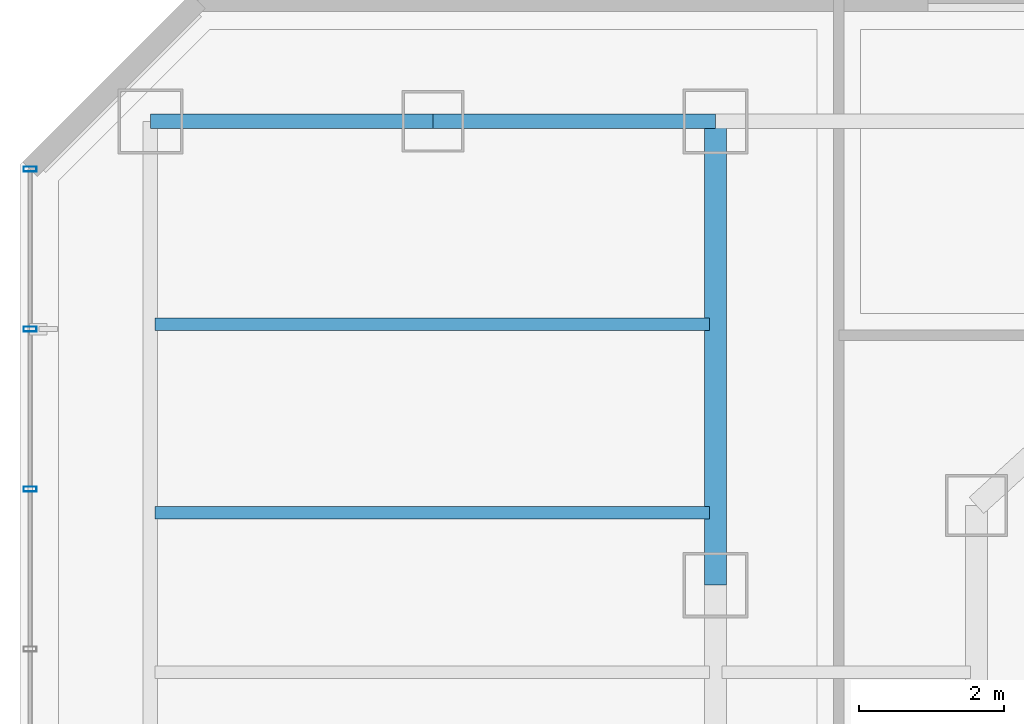
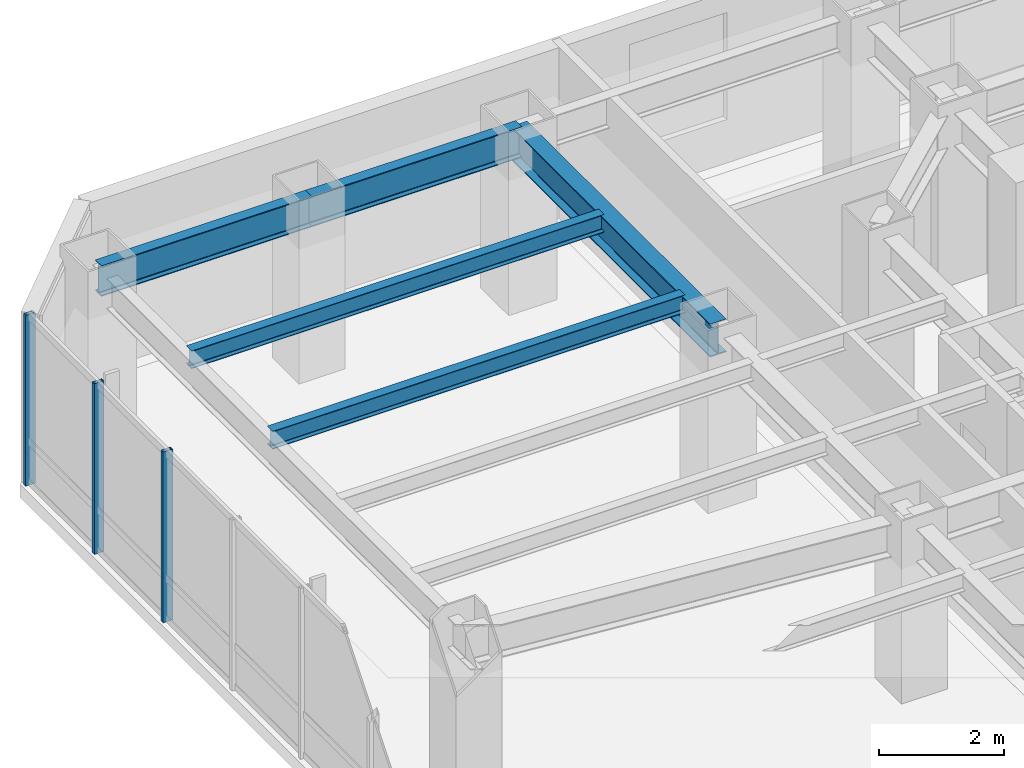
# One storey, part 17 of 29: 5 beams, 3 members, 1 element without a shape of its own.
"""IFC4 building model written with IfcOpenShell, lengths in metres."""

from ifc_helpers import new_model, si_unit, direction, frame, origin, origin_2d, place, context, subcontext, project, spatial, hollow_rectangle, i_section, extrude, material, layer, layer_set, material_profile, profile_set, type_object, element, aggregate, save


model = new_model("IFC4")

# Units and contexts
model_context = context("Model", 3, precision=1e-05, world=origin(), true_north=direction((0.0, 1.0)))
body_context = subcontext(model_context, "Body", "Model", "MODEL_VIEW")
ifc_project = project(units=[si_unit("LENGTHUNIT", "METRE"), si_unit("AREAUNIT", "SQUARE_METRE"), si_unit("VOLUMEUNIT", "CUBIC_METRE"), si_unit("PLANEANGLEUNIT", "RADIAN"), si_unit("MASSUNIT", "GRAM", prefix="KILO")], contexts=[model_context])

# Site, building, storey
site_placement = place(None, origin())
site = spatial("IfcSite", under=ifc_project, at=site_placement, CompositionType="ELEMENT")
building_placement = place(site_placement, origin())
building = spatial("IfcBuilding", under=site, at=building_placement, Name="Hatsunagi Terrace Concourse", CompositionType="ELEMENT")
storey_placement = place(building_placement, frame((0.0, 0.0, 104.85009765625)))
storey = spatial("IfcBuildingStorey", under=building, at=storey_placement, Name="L27", CompositionType="ELEMENT", Elevation=104.85009765625)

# Curtain wall, members
ifc_material_1 = material(Name="Anodised Aluminium Alloy 6063-T5", Category="aluminium")
ifc_layer = layer(ifc_material_1, 0.199951171875)
ifc_layer_set = layer_set([ifc_layer], Name="OfficeZone1_CW03")
curtain_wall_type = type_object("IfcCurtainWallType", Name="OfficeZone1_CW03", PredefinedType="NOTDEFINED", material=ifc_layer_set)
curtain_wall_placement = place(storey_placement, origin())
curtain_wall = element("IfcCurtainWall", 1, at=curtain_wall_placement, inside=storey, type_object=curtain_wall_type, Name="Unitised Curtain Wall CW-03 CW-L27-09", PredefinedType="NOTDEFINED")
ifc_material_2 = material(Name="Anodised Aluminium Alloy 6063-T5", Category="aluminium")
ifc_material_profile_1 = material_profile(ifc_material_2, hollow_rectangle(XDim=0.070068359375, YDim=0.179931640625, WallThickness=0.00390625, at=origin_2d()), Name="ALU-MUL-180x70x4")
ifc_profile_set_1 = profile_set([ifc_material_profile_1], Name="Anodised Aluminium Alloy 6063-T5")
member_type = type_object("IfcMemberType", Name="CurtainWallMullion_180x70", PredefinedType="MULLION", material=ifc_profile_set_1)
member_1_placement = place(storey_placement, frame((9.739990234375, 43.52490234375, 0.0), z_axis=(0.0, 0.0, 1.0), x_axis=(0.0, 1.0, 0.0)))
member_1 = element("IfcMember", 2, at=member_1_placement, type_object=member_type, Name="Curtain Wall Mullion MUL-02", PredefinedType="MULLION", context=body_context, shape_type="SweptSolid", body=[
    extrude(hollow_rectangle(XDim=0.070068359375, YDim=0.179931640625, WallThickness=0.00390625, at=origin_2d()), origin(), (0.0, 0.0, 1.0), 3.349853515625),
])
member_2_placement = place(storey_placement, frame((9.739990234375, 45.73388671875, 0.0), z_axis=(0.0, 0.0, 1.0), x_axis=(0.0, 1.0, 0.0)))
member_2 = element("IfcMember", 3, at=member_2_placement, type_object=member_type, Name="Curtain Wall Mullion MUL-02", PredefinedType="MULLION", context=body_context, shape_type="SweptSolid", body=[
    extrude(hollow_rectangle(XDim=0.070068359375, YDim=0.179931640625, WallThickness=0.00390625, at=origin_2d()), origin(), (0.0, 0.0, 1.0), 3.349853515625),
])
member_3_placement = place(storey_placement, frame((9.739990234375, 47.94189453125, 0.0), z_axis=(0.0, 0.0, 1.0), x_axis=(0.0, 1.0, 0.0)))
member_3 = element("IfcMember", 4, at=member_3_placement, type_object=member_type, Name="Curtain Wall Mullion MUL-02", PredefinedType="MULLION", context=body_context, shape_type="SweptSolid", body=[
    extrude(hollow_rectangle(XDim=0.070068359375, YDim=0.179931640625, WallThickness=0.00390625, at=origin_2d()), origin(), (0.0, 0.0, 1.0), 3.349853515625),
])
aggregate(curtain_wall, [member_1, member_2, member_3])

# Beams
ifc_material_3 = material(Name="Steel SN490B", Category="steel")
ifc_material_profile_2 = material_profile(ifc_material_3, i_section(OverallWidth=0.175048828125, OverallDepth=0.35009765625, WebThickness=0.007080078125, FlangeThickness=0.010986328125, FilletRadius=0.012939453125, at=origin_2d()), Name="H-350x175x7x11")
ifc_profile_set_2 = profile_set([ifc_material_profile_2], Name="Steel SN490B")
beam_type_1 = type_object("IfcBeamType", Name="HotelJoist_H_350x175", PredefinedType="JOIST", material=ifc_profile_set_2)
for number, where, z_axis, x_axis, name in (
    (5, (11.465087890625, 43.199951171875, 3.1748046875), (1.0, 0.0, 0.0), (0.0, 1.0, 0.0), "Beam J-02 J-L27-W-11-432"),
    (6, (11.465087890625, 45.800048828125, 3.1748046875), (1.0, 0.0, 0.0), (0.0, 1.0, 0.0), "Beam J-02 J-L27-W-11-458"),
):
    element("IfcBeam", number, at=place(storey_placement, frame(where, z_axis=z_axis, x_axis=x_axis)), inside=storey, type_object=beam_type_1, Name=name, PredefinedType="JOIST", context=body_context, shape_type="SweptSolid", body=[
        extrude(i_section(OverallWidth=0.175048828125, OverallDepth=0.35009765625, WebThickness=0.007080078125, FlangeThickness=0.010986328125, FilletRadius=0.012939453125, at=origin_2d()), origin(), (0.0, 0.0, 1.0), 7.64990234375),
    ])
ifc_material_4 = material(Name="Steel SN490B", Category="steel")
ifc_material_profile_3 = material_profile(ifc_material_4, i_section(OverallWidth=0.300048828125, OverallDepth=0.64990234375, WebThickness=0.012939453125, FlangeThickness=0.02197265625, FilletRadius=0.01806640625, at=origin_2d()), Name="H-650x300x13x22")
ifc_profile_set_3 = profile_set([ifc_material_profile_3], Name="Steel SN490B")
beam_type_2 = type_object("IfcBeamType", Name="OfficeLowGirder_H_650x300", PredefinedType="BEAM", material=ifc_profile_set_3)
beam_1_placement = place(storey_placement, frame((19.199951171875, 42.199951171875, 3.02490234375), z_axis=(0.0, 1.0, 0.0), x_axis=(-1.0, 0.0, 0.0)))
element("IfcBeam", 7, at=beam_1_placement, inside=storey, type_object=beam_type_2, Name="Beam G-05 BM-L27-NS-19-42", PredefinedType="BEAM", context=body_context, shape_type="SweptSolid", body=[
    extrude(i_section(OverallWidth=0.300048828125, OverallDepth=0.64990234375, WebThickness=0.012939453125, FlangeThickness=0.02197265625, FilletRadius=0.01806640625, at=origin_2d()), origin(), (0.0, 0.0, 1.0), 6.400146484375),
])
ifc_material_5 = material(Name="Steel SN490B", Category="steel")
ifc_material_profile_4 = material_profile(ifc_material_5, i_section(OverallWidth=0.199951171875, OverallDepth=0.60009765625, WebThickness=0.010986328125, FlangeThickness=0.01708984375, FilletRadius=0.01806640625, at=origin_2d()), Name="H-600x200x11x17")
ifc_profile_set_4 = profile_set([ifc_material_profile_4], Name="Steel SN490B")
beam_type_3 = type_object("IfcBeamType", Name="PerimeterSpandrel_H_600x200", PredefinedType="SPANDREL", material=ifc_profile_set_4)
beam_2_placement = place(storey_placement, frame((11.39990234375, 48.60009765625, 3.0498046875), z_axis=(1.0, 0.0, 0.0), x_axis=(0.0, 1.0, 0.0)))
element("IfcBeam", 8, at=beam_2_placement, inside=storey, type_object=beam_type_3, Name="Beam SP-01 BM-L27-WN-11", PredefinedType="SPANDREL", context=body_context, shape_type="SweptSolid", body=[
    extrude(i_section(OverallWidth=0.199951171875, OverallDepth=0.60009765625, WebThickness=0.010986328125, FlangeThickness=0.01708984375, FilletRadius=0.01806640625, at=origin_2d()), origin(), (0.0, 0.0, 1.0), 3.900146484375),
])
beam_3_placement = place(storey_placement, frame((15.300048828125, 48.60009765625, 3.0498046875), z_axis=(1.0, 0.0, 0.0), x_axis=(0.0, 1.0, 0.0)))
element("IfcBeam", 9, at=beam_3_placement, inside=storey, type_object=beam_type_3, Name="Beam SP-01 BM-L27-WN-15", PredefinedType="SPANDREL", context=body_context, shape_type="SweptSolid", body=[
    extrude(i_section(OverallWidth=0.199951171875, OverallDepth=0.60009765625, WebThickness=0.010986328125, FlangeThickness=0.01708984375, FilletRadius=0.01806640625, at=origin_2d()), origin(), (0.0, 0.0, 1.0), 3.89990234375),
])

save(model, "model.ifc")
